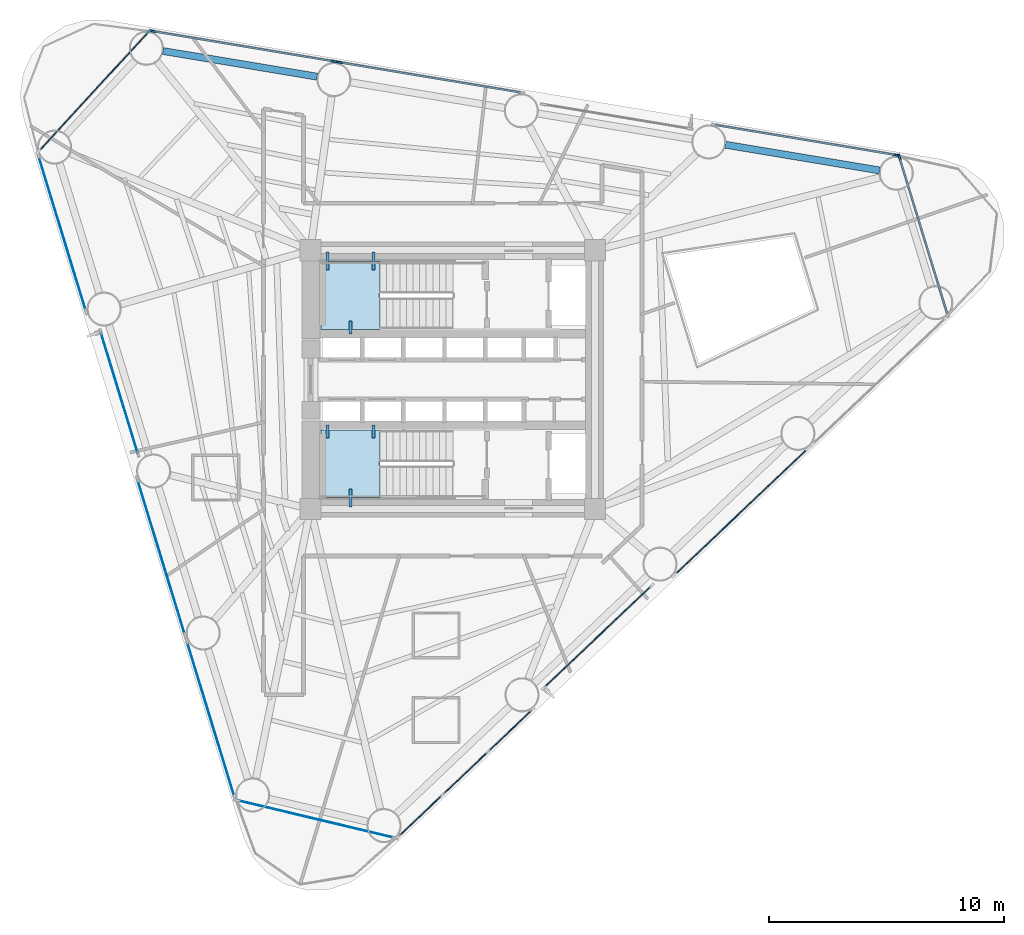
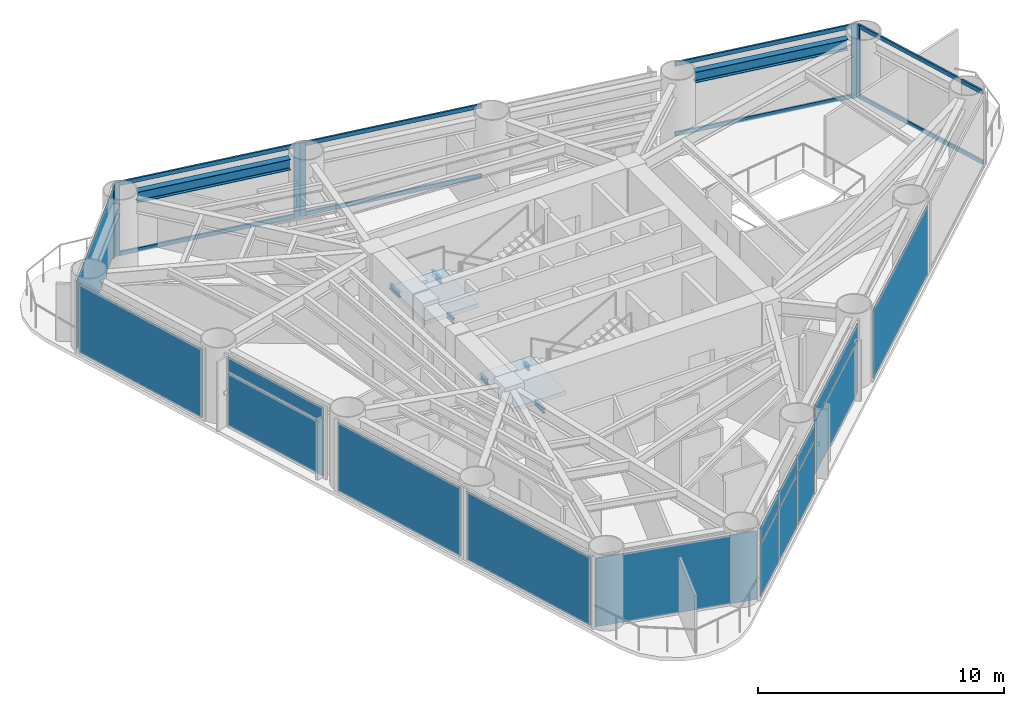
# One storey, part 4 of 10: 16 plates, 14 members, 8 beams, 2 slabs, 15 elements without a shape of their own.
"""IFC4 building model written with IfcOpenShell, lengths in metres."""

from ifc_helpers import new_model, si_unit, direction, frame, origin, origin_2d, place, context, subcontext, project, spatial, polyline, rectangle, i_section, outline, extrude, source, transform, mapped, material, layer, layer_set, material_profile, profile_set, type_object, element, aggregate, save


model = new_model("IFC4")

# Units and contexts
model_context = context("Model", 3, precision=1e-05, world=origin(), true_north=direction((0.0, 1.0)))
body_context = subcontext(model_context, "Body", "Model", "MODEL_VIEW")
ifc_project = project(units=[si_unit("LENGTHUNIT", "METRE"), si_unit("AREAUNIT", "SQUARE_METRE"), si_unit("VOLUMEUNIT", "CUBIC_METRE"), si_unit("PLANEANGLEUNIT", "RADIAN"), si_unit("MASSUNIT", "GRAM", prefix="KILO")], contexts=[model_context])

# Site, building, storey
site_placement = place(None, origin())
site = spatial("IfcSite", under=ifc_project, at=site_placement, CompositionType="ELEMENT")
building_placement = place(site_placement, origin())
building = spatial("IfcBuilding", under=site, at=building_placement, Name="Yunling Apex Tower", CompositionType="ELEMENT")
storey_placement = place(building_placement, frame((0.0, 0.0, 97.39990234375)))
storey = spatial("IfcBuildingStorey", under=building, at=storey_placement, Name="L24", CompositionType="ELEMENT", Elevation=97.39990234375)

# Beams
ifc_material_1 = material(Name="Steel Q355B", Category="steel")
ifc_material_profile_1 = material_profile(ifc_material_1, i_section(OverallWidth=0.125, OverallDepth=0.25, WebThickness=0.006103515625, FlangeThickness=0.009033203125, FilletRadius=0.011962890625, at=origin_2d()))
ifc_profile_set_1 = profile_set([ifc_material_profile_1], Name="Steel Q355B")
beam_type_1 = type_object("IfcBeamType", Name="BL-LNT-1", PredefinedType="LINTEL", material=ifc_profile_set_1)
shared_shape_1 = source(origin(), body_context, "Body", "SweptSolid", [
    extrude(i_section(OverallWidth=0.125, OverallDepth=0.25, WebThickness=0.006103515625, FlangeThickness=0.009033203125, FilletRadius=0.011962890625, at=origin_2d()), origin(), (0.0, 0.0, 1.0), 0.760009765625),
])
for number, where, z_axis, x_axis, name in (
    (1, (-5.320068359375, 5.419921875, 1.55517578125), (0.0, -1.0, 0.0), (1.0, 0.0, 0.0), "L24 ST-1 Landing Bearing Corbel 1-1"),
    (2, (-3.3701171875, 5.419921875, 1.55517578125), (0.0, -1.0, 0.0), (1.0, 0.0, 0.0), "L24 ST-1 Landing Bearing Corbel 1-2"),
    (3, (-4.344970703125, -5.419921875, 1.55517578125), (0.0, 1.0, 0.0), (-1.0, 0.0, 0.0), "L24 ST-2 Landing Bearing Corbel 1-3"),
):
    element("IfcBeam", number, at=place(storey_placement, frame(where, z_axis=z_axis, x_axis=x_axis)), inside=storey, type_object=beam_type_1, Name=name, PredefinedType="LINTEL", context=body_context, shape_type="MappedRepresentation", body=[
        mapped(shared_shape_1, transform((0.0, 0.0, 0.0), scale=1.0)),
    ])
shared_shape_2 = source(origin(), body_context, "Body", "SweptSolid", [
    extrude(i_section(OverallWidth=0.125, OverallDepth=0.25, WebThickness=0.006103515625, FlangeThickness=0.009033203125, FilletRadius=0.011962890625, at=origin_2d()), origin(), (0.0, 0.0, 1.0), 0.550048828125),
])
for number, where, z_axis, x_axis, name in (
    (4, (-4.344970703125, 1.93994140625, 1.55517578125), (0.0, 1.0, 0.0), (-1.0, 0.0, 0.0), "L24 ST-1 Landing Bearing Corbel 1-3"),
    (5, (-5.320068359375, -1.93994140625, 1.55517578125), (0.0, -1.0, 0.0), (1.0, 0.0, 0.0), "L24 ST-2 Landing Bearing Corbel 1-1"),
    (6, (-3.3701171875, -1.93994140625, 1.55517578125), (0.0, -1.0, 0.0), (1.0, 0.0, 0.0), "L24 ST-2 Landing Bearing Corbel 1-2"),
):
    element("IfcBeam", number, at=place(storey_placement, frame(where, z_axis=z_axis, x_axis=x_axis)), inside=storey, type_object=beam_type_1, Name=name, PredefinedType="LINTEL", context=body_context, shape_type="MappedRepresentation", body=[
        mapped(shared_shape_2, transform((0.0, 0.0, 0.0), scale=1.0)),
    ])
ifc_material_profile_2 = material_profile(ifc_material_1, i_section(OverallWidth=0.300048828125, OverallDepth=0.5400390625, WebThickness=0.011962890625, FlangeThickness=0.02001953125, FilletRadius=0.02392578125, at=origin_2d()))
ifc_profile_set_2 = profile_set([ifc_material_profile_2], Name="Steel Q355B")
beam_type_2 = type_object("IfcBeamType", Name="BP-SPN-1", PredefinedType="SPANDREL", material=ifc_profile_set_2)
shared_shape_3 = source(origin(), body_context, "Body", "SweptSolid", [
    extrude(i_section(OverallWidth=0.300048828125, OverallDepth=0.5400390625, WebThickness=0.011962890625, FlangeThickness=0.02001953125, FilletRadius=0.02392578125, at=origin_2d()), origin(), (0.0, 0.0, 1.0), 6.641845703125),
])
for number, where, z_axis, x_axis, name in (
    (7, (18.14599609375, 8.89111328125, 3.295166015625), (-0.986396904036, 0.164381105081, 0.0), (-0.164381105081, -0.986396904036, 0.0), "L24 Perimeter Spandrel Beam 6"),
    (8, (-5.763671875, 12.875244140625, 3.295166015625), (-0.986402863526, 0.164345340146, 0.0), (-0.164345340146, -0.986402863526, 0.0), "L24 Perimeter Spandrel Beam 9"),
):
    element("IfcBeam", number, at=place(storey_placement, frame(where, z_axis=z_axis, x_axis=x_axis)), inside=storey, type_object=beam_type_2, Name=name, PredefinedType="SPANDREL", context=body_context, shape_type="MappedRepresentation", body=[
        mapped(shared_shape_3, transform((0.0, 0.0, 0.0), scale=1.0)),
    ])

# Curtain wall, member
ifc_material_2 = material(Name="Bronze anodised aluminium", Category="aluminium")
ifc_layer_1 = layer(ifc_material_2, 0.260009765625)
ifc_layer_set_1 = layer_set([ifc_layer_1], Name="Bronze anodised aluminium")
curtain_wall_type = type_object("IfcCurtainWallType", Name="CW-SYS-2", PredefinedType="NOTDEFINED", material=ifc_layer_set_1)
curtain_wall_1_placement = place(storey_placement, origin())
curtain_wall_1 = element("IfcCurtainWall", 9, at=curtain_wall_1_placement, inside=storey, type_object=curtain_wall_type, Name="CW-L24-CRN1", PredefinedType="NOTDEFINED")
ifc_material_profile_3 = material_profile(ifc_material_2, rectangle(XDim=0.0849609375, YDim=0.260009765625, at=origin_2d()))
ifc_profile_set_3 = profile_set([ifc_material_profile_3], Name="Bronze anodised aluminium")
member_type_1 = type_object("IfcMemberType", Name="CW-MUL-2", PredefinedType="MULLION", material=ifc_profile_set_3)
shared_shape_4 = source(origin(), body_context, "Body", "SweptSolid", [
    extrude(rectangle(XDim=0.0849609375, YDim=0.260009765625, at=origin_2d()), origin(), (0.0, 0.0, 1.0), 3.664794921875),
])
member_1_placement = place(storey_placement, frame((18.9892578125, 9.46240234375, -0.0498046875), z_axis=(0.0, 0.0, 1.0), x_axis=(-0.95630374567, -0.292375009223, 0.0)))
member_1 = element("IfcMember", 10, at=member_1_placement, type_object=member_type_1, Name="CW-SYS-2 mullion 2", PredefinedType="MULLION", context=body_context, shape_type="MappedRepresentation", body=[
    mapped(shared_shape_4, transform((0.0, 0.0, 0.0), scale=1.0)),
])

curtain_wall_2_placement = place(storey_placement, origin())
curtain_wall_2 = element("IfcCurtainWall", 11, at=curtain_wall_2_placement, inside=storey, type_object=curtain_wall_type, Name="CW-L24-F2-B1", PredefinedType="NOTDEFINED")
member_2_placement = place(storey_placement, frame((18.859375, 9.54296875, -0.0498046875), z_axis=(0.0, 0.0, 1.0), x_axis=(-0.16436008369, -0.98640040698, 0.0)))
member_2 = element("IfcMember", 12, at=member_2_placement, type_object=member_type_1, Name="CW-SYS-2 mullion 1", PredefinedType="MULLION", context=body_context, shape_type="MappedRepresentation", body=[
    mapped(shared_shape_4, transform((0.0, 0.0, 0.0), scale=1.0)),
])

curtain_wall_3_placement = place(storey_placement, origin())
curtain_wall_3 = element("IfcCurtainWall", 13, at=curtain_wall_3_placement, inside=storey, type_object=curtain_wall_type, Name="CW-L24-F2-B3", PredefinedType="NOTDEFINED")
member_3_placement = place(storey_placement, frame((-4.80859375, 13.486572265625, -0.0498046875), z_axis=(0.0, 0.0, 1.0), x_axis=(-0.164362130784, -0.986400065878, 0.0)))
member_3 = element("IfcMember", 14, at=member_3_placement, type_object=member_type_1, Name="CW-SYS-2 mullion 2", PredefinedType="MULLION", context=body_context, shape_type="MappedRepresentation", body=[
    mapped(shared_shape_4, transform((0.0, 0.0, 0.0), scale=1.0)),
])

# Curtain wall, members
curtain_wall_4_placement = place(storey_placement, origin())
curtain_wall_4 = element("IfcCurtainWall", 15, at=curtain_wall_4_placement, inside=storey, type_object=curtain_wall_type, Name="CW-L24-F2-B4", PredefinedType="NOTDEFINED")
member_4_placement = place(storey_placement, frame((-5.05029296875, 13.52685546875, -0.0498046875), z_axis=(0.0, 0.0, 1.0), x_axis=(-0.16436008369, -0.98640040698, 0.0)))
member_4 = element("IfcMember", 16, at=member_4_placement, type_object=member_type_1, Name="CW-SYS-2 mullion 1", PredefinedType="MULLION", context=body_context, shape_type="MappedRepresentation", body=[
    mapped(shared_shape_4, transform((0.0, 0.0, 0.0), scale=1.0)),
])
member_5_placement = place(storey_placement, frame((-12.778564453125, 14.814697265625, -0.0498046875), z_axis=(0.0, 0.0, 1.0), x_axis=(-0.16436008369, -0.98640040698, 0.0)))
member_5 = element("IfcMember", 17, at=member_5_placement, type_object=member_type_1, Name="CW-SYS-2 mullion 2", PredefinedType="MULLION", context=body_context, shape_type="MappedRepresentation", body=[
    mapped(shared_shape_4, transform((0.0, 0.0, 0.0), scale=1.0)),
])

# Curtain wall, member
curtain_wall_5_placement = place(storey_placement, origin())
curtain_wall_5 = element("IfcCurtainWall", 18, at=curtain_wall_5_placement, inside=storey, type_object=curtain_wall_type, Name="CW-L24-CRN2", PredefinedType="NOTDEFINED")
member_6_placement = place(storey_placement, frame((-12.931396484375, 14.78369140625, -0.0498046875), z_axis=(0.0, 0.0, 1.0), x_axis=(0.736184624933, -0.676780760669, 0.0)))
member_6 = element("IfcMember", 19, at=member_6_placement, type_object=member_type_1, Name="CW-SYS-2 mullion 1", PredefinedType="MULLION", context=body_context, shape_type="MappedRepresentation", body=[
    mapped(shared_shape_4, transform((0.0, 0.0, 0.0), scale=1.0)),
])

# Member
ifc_material_profile_4 = material_profile(ifc_material_2, rectangle(XDim=0.0849609375, YDim=0.199951171875, at=origin_2d()))
ifc_profile_set_4 = profile_set([ifc_material_profile_4], Name="Bronze anodised aluminium")
member_type_2 = type_object("IfcMemberType", Name="CW-TRN-2", PredefinedType="USERDEFINED", material=ifc_profile_set_4)
shared_shape_5 = source(origin(), body_context, "Body", "SweptSolid", [
    extrude(rectangle(XDim=0.0849609375, YDim=0.199951171875, at=origin_2d()), origin(), (0.0, 0.0, 1.0), 7.75830078125),
])
member_7_placement = place(storey_placement, frame((18.821533203125, 9.549072265625, 0.04248046875), z_axis=(-0.986400726912, 0.164358163615, 0.0), x_axis=(-0.164358163615, -0.986400726912, 0.0)))
member_7 = element("IfcMember", 20, at=member_7_placement, type_object=member_type_2, Name="CW-SYS-2 transom 1.1", ObjectType="TRANSOM", PredefinedType="USERDEFINED", context=body_context, shape_type="MappedRepresentation", body=[
    mapped(shared_shape_5, transform((0.0, 0.0, 0.0), scale=1.0)),
])

member_8_placement = place(storey_placement, frame((18.821533203125, 9.549072265625, 3.522705078125), z_axis=(-0.986400726912, 0.164358163615, 0.0), x_axis=(-0.164358163615, -0.986400726912, 0.0)))
member_8 = element("IfcMember", 21, at=member_8_placement, type_object=member_type_2, Name="CW-SYS-2 transom 1.2", ObjectType="TRANSOM", PredefinedType="USERDEFINED", context=body_context, shape_type="MappedRepresentation", body=[
    mapped(shared_shape_5, transform((0.0, 0.0, 0.0), scale=1.0)),
])

aggregate(curtain_wall_2, [member_2, member_7, member_8])

member_9_placement = place(storey_placement, frame((2.8818359375, 12.205078125, 0.04248046875), z_axis=(-0.986400726912, 0.164358163615, 0.0), x_axis=(-0.164358163615, -0.986400726912, 0.0)))
member_9 = element("IfcMember", 22, at=member_9_placement, type_object=member_type_2, Name="CW-SYS-2 transom 1.1", ObjectType="TRANSOM", PredefinedType="USERDEFINED", context=body_context, shape_type="MappedRepresentation", body=[
    mapped(shared_shape_5, transform((0.0, 0.0, 0.0), scale=1.0)),
])

member_10_placement = place(storey_placement, frame((2.8818359375, 12.205078125, 3.522705078125), z_axis=(-0.986400726912, 0.164358163615, 0.0), x_axis=(-0.164358163615, -0.986400726912, 0.0)))
member_10 = element("IfcMember", 23, at=member_10_placement, type_object=member_type_2, Name="CW-SYS-2 transom 1.2", ObjectType="TRANSOM", PredefinedType="USERDEFINED", context=body_context, shape_type="MappedRepresentation", body=[
    mapped(shared_shape_5, transform((0.0, 0.0, 0.0), scale=1.0)),
])

aggregate(curtain_wall_3, [member_3, member_9, member_10])

member_11_placement = place(storey_placement, frame((-5.088134765625, 13.533203125, 0.04248046875), z_axis=(-0.986400726912, 0.164358163615, 0.0), x_axis=(-0.164358163615, -0.986400726912, 0.0)))
member_11 = element("IfcMember", 24, at=member_11_placement, type_object=member_type_2, Name="CW-SYS-2 transom 1.1", ObjectType="TRANSOM", PredefinedType="USERDEFINED", context=body_context, shape_type="MappedRepresentation", body=[
    mapped(shared_shape_5, transform((0.0, 0.0, 0.0), scale=1.0)),
])

member_12_placement = place(storey_placement, frame((-5.088134765625, 13.533203125, 3.522705078125), z_axis=(-0.986400726912, 0.164358163615, 0.0), x_axis=(-0.164358163615, -0.986400726912, 0.0)))
member_12 = element("IfcMember", 25, at=member_12_placement, type_object=member_type_2, Name="CW-SYS-2 transom 1.2", ObjectType="TRANSOM", PredefinedType="USERDEFINED", context=body_context, shape_type="MappedRepresentation", body=[
    mapped(shared_shape_5, transform((0.0, 0.0, 0.0), scale=1.0)),
])

aggregate(curtain_wall_4, [member_4, member_5, member_11, member_12])

shared_shape_6 = source(origin(), body_context, "Body", "SweptSolid", [
    extrude(rectangle(XDim=0.0849609375, YDim=0.199951171875, at=origin_2d()), origin(), (0.0, 0.0, 1.0), 6.91748046875),
])
member_13_placement = place(storey_placement, frame((21.02294921875, 2.810546875, 0.04248046875), z_axis=(-0.292369169584, 0.956305531029, 0.0), x_axis=(-0.956305531029, -0.292369169584, 0.0)))
member_13 = element("IfcMember", 26, at=member_13_placement, type_object=member_type_2, Name="CW-SYS-2 transom 1.1", ObjectType="TRANSOM", PredefinedType="USERDEFINED", context=body_context, shape_type="MappedRepresentation", body=[
    mapped(shared_shape_6, transform((0.0, 0.0, 0.0), scale=1.0)),
])

member_14_placement = place(storey_placement, frame((21.02294921875, 2.810546875, 3.522705078125), z_axis=(-0.292369169584, 0.956305531029, 0.0), x_axis=(-0.956305531029, -0.292369169584, 0.0)))
member_14 = element("IfcMember", 27, at=member_14_placement, type_object=member_type_2, Name="CW-SYS-2 transom 1.2", ObjectType="TRANSOM", PredefinedType="USERDEFINED", context=body_context, shape_type="MappedRepresentation", body=[
    mapped(shared_shape_6, transform((0.0, 0.0, 0.0), scale=1.0)),
])

aggregate(curtain_wall_1, [member_1, member_13, member_14])

# Stair, slab
ifc_material_3 = material(Name="Concrete C40", Category="concrete")
stair_type = type_object("IfcStairType", Name="ST-TWR-1", PredefinedType="HALF_TURN_STAIR", material=ifc_material_3)
stair_1_placement = place(storey_placement, origin())
stair_1 = element("IfcStair", 28, at=stair_1_placement, inside=storey, type_object=stair_type, Name="L24 North Core Smokeproof Exit Stair ST-1", PredefinedType="HALF_TURN_STAIR")
ifc_layer_2 = layer(ifc_material_3, 0.195068359375)
ifc_layer_set_2 = layer_set([ifc_layer_2], Name="Concrete C40")
slab_type = type_object("IfcSlabType", Name="SL-LND-1", PredefinedType="LANDING", material=ifc_layer_set_2)
slab_1_placement = place(storey_placement, frame((0.0, 0.0, 1.68017578125)))
slab_1 = element("IfcSlab", 29, at=slab_1_placement, type_object=slab_type, Name="ST-1 landing 1", PredefinedType="LANDING", context=body_context, shape_type="SweptSolid", body=[
    extrude(outline(polyline([(-3.090087890625, 5.010009765625), (-5.60009765625, 5.010009765625), (-5.60009765625, 2.139892578125), (-3.090087890625, 2.139892578125), (-3.090087890625, 5.010009765625)])), origin(), (0.0, 0.0, 1.0), 0.19482421875),
])
aggregate(stair_1, [slab_1])

stair_2_placement = place(storey_placement, origin())
stair_2 = element("IfcStair", 30, at=stair_2_placement, inside=storey, type_object=stair_type, Name="L24 South Core Smokeproof Exit Stair ST-2", PredefinedType="HALF_TURN_STAIR")
slab_2_placement = place(storey_placement, frame((0.0, 0.0, 1.68017578125)))
slab_2 = element("IfcSlab", 31, at=slab_2_placement, type_object=slab_type, Name="ST-2 landing 1", PredefinedType="LANDING", context=body_context, shape_type="SweptSolid", body=[
    extrude(outline(polyline([(-3.090087890625, -2.139892578125), (-5.60009765625, -2.139892578125), (-5.60009765625, -5.010009765625), (-3.090087890625, -5.010009765625), (-3.090087890625, -2.139892578125)])), origin(), (0.0, 0.0, 1.0), 0.19482421875),
])
aggregate(stair_2, [slab_2])

# Curtain wall, plates
curtain_wall_6_placement = place(storey_placement, origin())
curtain_wall_6 = element("IfcCurtainWall", 32, at=curtain_wall_6_placement, inside=storey, type_object=curtain_wall_type, Name="CW-L24-F1-B1", PredefinedType="NOTDEFINED")
ifc_material_4 = material(Name="Bronze tinted low-E glass", Category="glass")
ifc_layer_3 = layer(ifc_material_4, 0.033935546875)
ifc_layer_set_3 = layer_set([ifc_layer_3], Name="Bronze tinted low-E glass")
plate_type = type_object("IfcPlateType", Name="CW-PNL-2", PredefinedType="CURTAIN_PANEL", material=ifc_layer_set_3)
shared_shape_7 = source(origin(), body_context, "Body", "SweptSolid", [
    extrude(rectangle(XDim=2.52880859375, YDim=0.033935546875, at=origin_2d()), origin(), (0.0, 0.0, 1.0), 2.60400390625),
])
plate_1_placement = place(storey_placement, frame((-1.366943359375, -18.5341796875, 0.076904296875), z_axis=(0.0, 0.0, 1.0), x_axis=(0.72584218686, 0.687861264918, 0.0)))
plate_1 = element("IfcPlate", 33, at=plate_1_placement, type_object=plate_type, Name="CW-SYS-2 panel 1.1", PredefinedType="CURTAIN_PANEL", context=body_context, shape_type="MappedRepresentation", body=[
    mapped(shared_shape_7, transform((0.0, 0.0, 0.0), scale=1.0)),
])
plate_2_placement = place(storey_placement, frame((2.4345703125, -14.931640625, 0.076904296875), z_axis=(0.0, 0.0, 1.0), x_axis=(0.72584218686, 0.687861264918, 0.0)))
plate_2 = element("IfcPlate", 34, at=plate_2_placement, type_object=plate_type, Name="CW-SYS-2 panel 3.1", PredefinedType="CURTAIN_PANEL", context=body_context, shape_type="MappedRepresentation", body=[
    mapped(shared_shape_7, transform((0.0, 0.0, 0.0), scale=1.0)),
])
shared_shape_8 = source(origin(), body_context, "Body", "SweptSolid", [
    extrude(rectangle(XDim=2.52880859375, YDim=0.033935546875, at=origin_2d()), origin(), (0.0, 0.0, 1.0), 0.739013671875),
])
plate_3_placement = place(storey_placement, frame((-1.366943359375, -18.5341796875, 2.74951171875), z_axis=(0.0, 0.0, 1.0), x_axis=(0.72584218686, 0.687861264918, 0.0)))
plate_3 = element("IfcPlate", 35, at=plate_3_placement, type_object=plate_type, Name="CW-SYS-2 panel 1.2", PredefinedType="CURTAIN_PANEL", context=body_context, shape_type="MappedRepresentation", body=[
    mapped(shared_shape_8, transform((0.0, 0.0, 0.0), scale=1.0)),
])
plate_4_placement = place(storey_placement, frame((2.4345703125, -14.931640625, 2.74951171875), z_axis=(0.0, 0.0, 1.0), x_axis=(0.72584218686, 0.687861264918, 0.0)))
plate_4 = element("IfcPlate", 36, at=plate_4_placement, type_object=plate_type, Name="CW-SYS-2 panel 3.2", PredefinedType="CURTAIN_PANEL", context=body_context, shape_type="MappedRepresentation", body=[
    mapped(shared_shape_8, transform((0.0, 0.0, 0.0), scale=1.0)),
])
shared_shape_9 = source(origin(), body_context, "Body", "SweptSolid", [
    extrude(rectangle(XDim=2.571533203125, YDim=0.033935546875, at=origin_2d()), origin(), (0.0, 0.0, 1.0), 2.60400390625),
])
plate_5_placement = place(storey_placement, frame((0.53369140625, -16.73291015625, 0.076904296875), z_axis=(0.0, 0.0, 1.0), x_axis=(0.72584218686, 0.687861264918, 0.0)))
plate_5 = element("IfcPlate", 37, at=plate_5_placement, type_object=plate_type, Name="CW-SYS-2 panel 2.1", PredefinedType="CURTAIN_PANEL", context=body_context, shape_type="MappedRepresentation", body=[
    mapped(shared_shape_9, transform((0.0, 0.0, 0.0), scale=1.0)),
])
shared_shape_10 = source(origin(), body_context, "Body", "SweptSolid", [
    extrude(rectangle(XDim=2.571533203125, YDim=0.033935546875, at=origin_2d()), origin(), (0.0, 0.0, 1.0), 0.739013671875),
])
plate_6_placement = place(storey_placement, frame((0.53369140625, -16.73291015625, 2.74951171875), z_axis=(0.0, 0.0, 1.0), x_axis=(0.72584218686, 0.687861264918, 0.0)))
plate_6 = element("IfcPlate", 38, at=plate_6_placement, type_object=plate_type, Name="CW-SYS-2 panel 2.2", PredefinedType="CURTAIN_PANEL", context=body_context, shape_type="MappedRepresentation", body=[
    mapped(shared_shape_10, transform((0.0, 0.0, 0.0), scale=1.0)),
])
aggregate(curtain_wall_6, [plate_1, plate_3, plate_5, plate_6, plate_2, plate_4])

curtain_wall_7_placement = place(storey_placement, origin())
curtain_wall_7 = element("IfcCurtainWall", 39, at=curtain_wall_7_placement, inside=storey, type_object=curtain_wall_type, Name="CW-L24-F1-B2", PredefinedType="NOTDEFINED")
shared_shape_11 = source(origin(), body_context, "Body", "SweptSolid", [
    extrude(rectangle(XDim=6.236328125, YDim=0.033935546875, at=origin_2d()), origin(), (0.0, 0.0, 1.0), 2.60400390625),
])
plate_7_placement = place(storey_placement, frame((6.16455078125, -10.928466796875, 0.076904296875), z_axis=(0.0, 0.0, 1.0), x_axis=(0.725858092234, 0.687844480924, 0.0)))
plate_7 = element("IfcPlate", 40, at=plate_7_placement, type_object=plate_type, Name="CW-SYS-2 panel 1.1", PredefinedType="CURTAIN_PANEL", context=body_context, shape_type="MappedRepresentation", body=[
    mapped(shared_shape_11, transform((0.0, 0.0, 0.0), scale=1.0)),
])
shared_shape_12 = source(origin(), body_context, "Body", "SweptSolid", [
    extrude(rectangle(XDim=6.236328125, YDim=0.033935546875, at=origin_2d()), origin(), (0.0, 0.0, 1.0), 0.739013671875),
])
plate_8_placement = place(storey_placement, frame((6.16455078125, -10.928466796875, 2.74951171875), z_axis=(0.0, 0.0, 1.0), x_axis=(0.725858092234, 0.687844480924, 0.0)))
plate_8 = element("IfcPlate", 41, at=plate_8_placement, type_object=plate_type, Name="CW-SYS-2 panel 1.2", PredefinedType="CURTAIN_PANEL", context=body_context, shape_type="MappedRepresentation", body=[
    mapped(shared_shape_12, transform((0.0, 0.0, 0.0), scale=1.0)),
])
aggregate(curtain_wall_7, [plate_7, plate_8])

# Curtain wall, plate
curtain_wall_8_placement = place(storey_placement, origin())
curtain_wall_8 = element("IfcCurtainWall", 42, at=curtain_wall_8_placement, inside=storey, type_object=curtain_wall_type, Name="CW-L24-F1-B3", PredefinedType="NOTDEFINED")
shared_shape_13 = source(origin(), body_context, "Body", "SweptSolid", [
    extrude(rectangle(XDim=7.766357421875, YDim=0.033935546875, at=origin_2d()), origin(), (0.0, 0.0, 1.0), 3.41162109375),
])
plate_9_placement = place(storey_placement, frame((12.26318359375, -5.61767578125, 0.076904296875), z_axis=(0.0, 0.0, 1.0), x_axis=(0.72584218686, 0.687861264918, 0.0)))
plate_9 = element("IfcPlate", 43, at=plate_9_placement, type_object=plate_type, Name="CW-SYS-2 panel 1.1", PredefinedType="CURTAIN_PANEL", context=body_context, shape_type="MappedRepresentation", body=[
    mapped(shared_shape_13, transform((0.0, 0.0, 0.0), scale=1.0)),
])
aggregate(curtain_wall_8, [plate_9])

# Plate
shared_shape_14 = source(origin(), body_context, "Body", "SweptSolid", [
    extrude(rectangle(XDim=6.83935546875, YDim=0.033935546875, at=origin_2d()), origin(), (0.0, 0.0, 1.0), 3.41162109375),
])
plate_10_placement = place(storey_placement, frame((-15.26904296875, 12.240966796875, 0.076904296875), z_axis=(0.0, 0.0, 1.0), x_axis=(-0.676780760669, -0.736184624933, 0.0)))
plate_10 = element("IfcPlate", 44, at=plate_10_placement, type_object=plate_type, Name="CW-SYS-2 panel 1.1", PredefinedType="CURTAIN_PANEL", context=body_context, shape_type="MappedRepresentation", body=[
    mapped(shared_shape_14, transform((0.0, 0.0, 0.0), scale=1.0)),
])

aggregate(curtain_wall_5, [member_6, plate_10])

# Curtain wall, plate
curtain_wall_9_placement = place(storey_placement, origin())
curtain_wall_9 = element("IfcCurtainWall", 45, at=curtain_wall_9_placement, inside=storey, type_object=curtain_wall_type, Name="CW-L24-CRN3", PredefinedType="NOTDEFINED")
plate_11_placement = place(storey_placement, frame((-5.8134765625, -18.6865234375, 0.076904296875), z_axis=(0.0, 0.0, 1.0), x_axis=(0.972740811528, -0.23189504865, 0.0)))
plate_11 = element("IfcPlate", 46, at=plate_11_placement, type_object=plate_type, Name="CW-SYS-2 panel 1.1", PredefinedType="CURTAIN_PANEL", context=body_context, shape_type="MappedRepresentation", body=[
    mapped(shared_shape_14, transform((0.0, 0.0, 0.0), scale=1.0)),
])
aggregate(curtain_wall_9, [plate_11])

curtain_wall_10_placement = place(storey_placement, origin())
curtain_wall_10 = element("IfcCurtainWall", 47, at=curtain_wall_10_placement, inside=storey, type_object=curtain_wall_type, Name="CW-L24-F3-B1", PredefinedType="NOTDEFINED")
shared_shape_15 = source(origin(), body_context, "Body", "SweptSolid", [
    extrude(rectangle(XDim=6.88671875, YDim=0.033935546875, at=origin_2d()), origin(), (0.0, 0.0, 1.0), 3.41162109375),
])
plate_12_placement = place(storey_placement, frame((-16.601806640625, 6.21826171875, 0.076904296875), z_axis=(0.0, 0.0, 1.0), x_axis=(0.292372619321, -0.956304476342, 0.0)))
plate_12 = element("IfcPlate", 48, at=plate_12_placement, type_object=plate_type, Name="CW-SYS-2 panel 1.1", PredefinedType="CURTAIN_PANEL", context=body_context, shape_type="MappedRepresentation", body=[
    mapped(shared_shape_15, transform((0.0, 0.0, 0.0), scale=1.0)),
])
aggregate(curtain_wall_10, [plate_12])

curtain_wall_11_placement = place(storey_placement, origin())
curtain_wall_11 = element("IfcCurtainWall", 49, at=curtain_wall_11_placement, inside=storey, type_object=curtain_wall_type, Name="CW-L24-F3-B3", PredefinedType="NOTDEFINED")
plate_13_placement = place(storey_placement, frame((-12.3916015625, -7.552978515625, 0.076904296875), z_axis=(0.0, 0.0, 1.0), x_axis=(0.292372619321, -0.956304476342, 0.0)))
plate_13 = element("IfcPlate", 50, at=plate_13_placement, type_object=plate_type, Name="CW-SYS-2 panel 1.1", PredefinedType="CURTAIN_PANEL", context=body_context, shape_type="MappedRepresentation", body=[
    mapped(shared_shape_15, transform((0.0, 0.0, 0.0), scale=1.0)),
])
aggregate(curtain_wall_11, [plate_13])

curtain_wall_12_placement = place(storey_placement, origin())
curtain_wall_12 = element("IfcCurtainWall", 51, at=curtain_wall_12_placement, inside=storey, type_object=curtain_wall_type, Name="CW-L24-F3-B4", PredefinedType="NOTDEFINED")
plate_14_placement = place(storey_placement, frame((-10.286376953125, -14.438720703125, 0.076904296875), z_axis=(0.0, 0.0, 1.0), x_axis=(0.292372619321, -0.956304476342, 0.0)))
plate_14 = element("IfcPlate", 52, at=plate_14_placement, type_object=plate_type, Name="CW-SYS-2 panel 1.1", PredefinedType="CURTAIN_PANEL", context=body_context, shape_type="MappedRepresentation", body=[
    mapped(shared_shape_15, transform((0.0, 0.0, 0.0), scale=1.0)),
])
aggregate(curtain_wall_12, [plate_14])

# Curtain wall, plates
curtain_wall_13_placement = place(storey_placement, origin())
curtain_wall_13 = element("IfcCurtainWall", 53, at=curtain_wall_13_placement, inside=storey, type_object=curtain_wall_type, Name="CW-L24-F3-B2", PredefinedType="NOTDEFINED")
shared_shape_16 = source(origin(), body_context, "Body", "SweptSolid", [
    extrude(rectangle(XDim=5.356689453125, YDim=0.033935546875, at=origin_2d()), origin(), (0.0, 0.0, 1.0), 2.60400390625),
])
plate_15_placement = place(storey_placement, frame((-14.17138671875, -0.56787109375, 0.076904296875), z_axis=(0.0, 0.0, 1.0), x_axis=(0.292363767199, -0.956307182672, 0.0)))
plate_15 = element("IfcPlate", 54, at=plate_15_placement, type_object=plate_type, Name="CW-SYS-2 panel 1.1", PredefinedType="CURTAIN_PANEL", context=body_context, shape_type="MappedRepresentation", body=[
    mapped(shared_shape_16, transform((0.0, 0.0, 0.0), scale=1.0)),
])
shared_shape_17 = source(origin(), body_context, "Body", "SweptSolid", [
    extrude(rectangle(XDim=5.356689453125, YDim=0.033935546875, at=origin_2d()), origin(), (0.0, 0.0, 1.0), 0.739013671875),
])
plate_16_placement = place(storey_placement, frame((-14.17138671875, -0.56787109375, 2.74951171875), z_axis=(0.0, 0.0, 1.0), x_axis=(0.292363767199, -0.956307182672, 0.0)))
plate_16 = element("IfcPlate", 55, at=plate_16_placement, type_object=plate_type, Name="CW-SYS-2 panel 1.2", PredefinedType="CURTAIN_PANEL", context=body_context, shape_type="MappedRepresentation", body=[
    mapped(shared_shape_17, transform((0.0, 0.0, 0.0), scale=1.0)),
])
aggregate(curtain_wall_13, [plate_15, plate_16])

save(model, "model.ifc")
